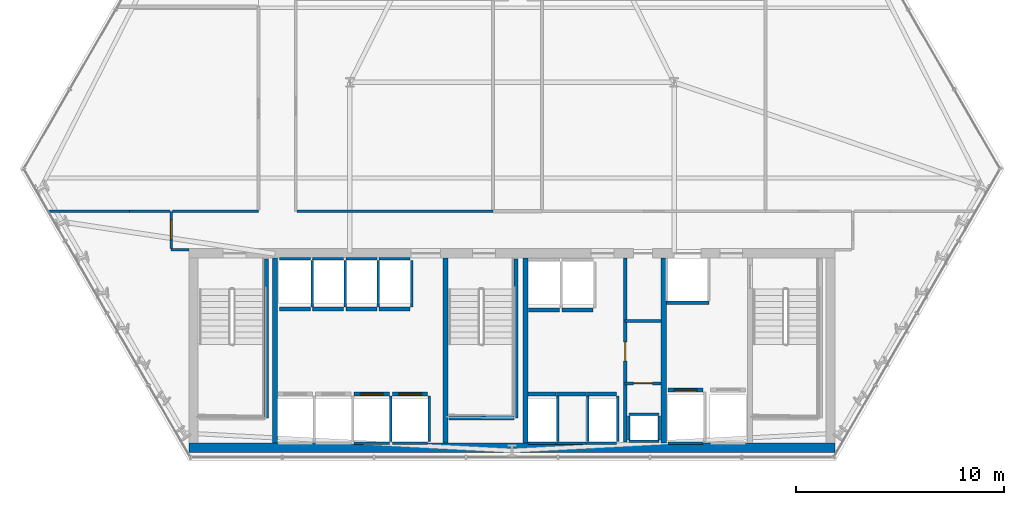
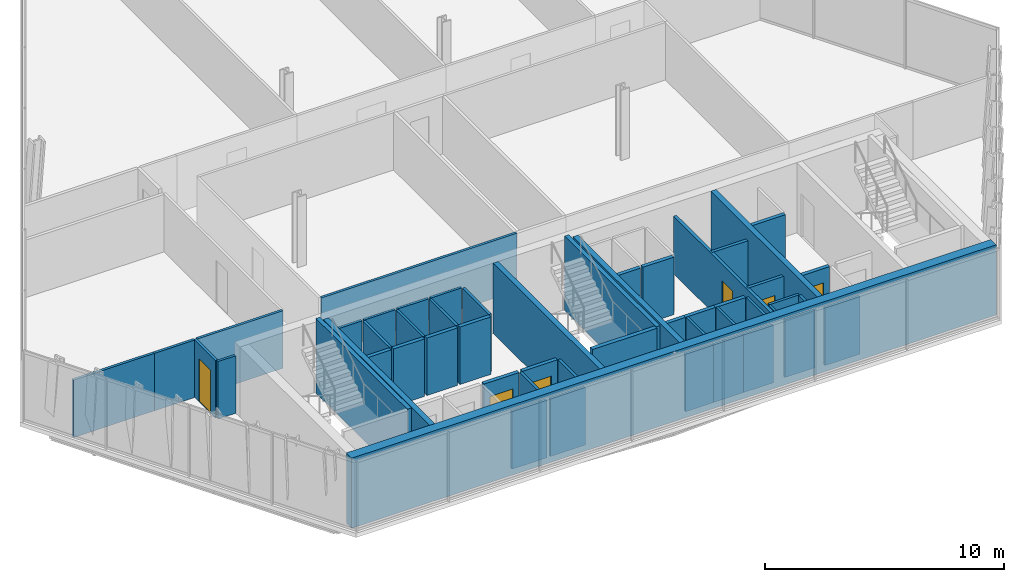
# One storey, part 27 of 32: 53 walls, 6 doors, 6 openings.
"""IFC4 building model written with IfcOpenShell, lengths in metres."""

from ifc_helpers import new_model, si_unit, direction, frame, frame_2d, origin, place, context, subcontext, project, spatial, rectangle, extrude, material, layer, layer_set, type_object, element, fill, save


model = new_model("IFC4")

# Units and contexts
model_context = context("Model", 3, precision=1e-05, world=origin(), true_north=direction((0.0, 1.0)))
body_context = subcontext(model_context, "Body", "Model", "MODEL_VIEW")
ifc_project = project(units=[si_unit("LENGTHUNIT", "METRE"), si_unit("AREAUNIT", "SQUARE_METRE"), si_unit("VOLUMEUNIT", "CUBIC_METRE"), si_unit("PLANEANGLEUNIT", "RADIAN"), si_unit("MASSUNIT", "GRAM", prefix="KILO")], contexts=[model_context])

# Site, building, storey
site_placement = place(None, origin())
site = spatial("IfcSite", under=ifc_project, at=site_placement, CompositionType="ELEMENT")
building_placement = place(site_placement, origin())
building = spatial("IfcBuilding", under=site, at=building_placement, Name="Ndaravel Arena Tower", CompositionType="ELEMENT")
storey_placement = place(building_placement, frame((0.0, 0.0, 55.0)))
storey = spatial("IfcBuildingStorey", under=building, at=storey_placement, Name="L11", CompositionType="ELEMENT", Elevation=55.0)

# Wall, opening, door
ifc_material_1 = material(Name="Gypsum", Category="gypsum")
ifc_layer_1 = layer(ifc_material_1, 0.14990234375)
ifc_layer_set_1 = layer_set([ifc_layer_1], Name="Gypsum")
wall_type_1 = type_object("IfcWallType", Name="WALL-COMP-150", PredefinedType="PARTITIONING", material=ifc_layer_set_1)
wall_1_placement = place(storey_placement, frame((47.449951171875, 5.89990234375, 0.0), z_axis=(0.0, 0.0, 1.0), x_axis=(0.0, 1.0, 0.0)))
wall_1 = element("IfcWall", 1, at=wall_1_placement, inside=storey, type_object=wall_type_1, Name="L11 Core Riser Bay Partition", PredefinedType="PARTITIONING", context=body_context, shape_type="SweptSolid", body=[
    extrude(rectangle(XDim=8.85009765625, YDim=0.14990234375, at=frame_2d((4.425048828125, 0.0))), origin(), (0.0, 0.0, 1.0), 2.932861328125),
])
opening_1_placement = place(wall_1_placement, frame((3.89990234375, 0.0, 0.0)))
opening_1 = element("IfcOpeningElement", 2, at=opening_1_placement, cuts=wall_1, Name="Opening RD-01", PredefinedType="OPENING", context=body_context, shape_type="SweptSolid", body=[
    extrude(rectangle(XDim=0.89990234375, YDim=2.10009765625, at=frame_2d((0.449951171875, 1.050048828125))), frame((0.0, 0.074951171875, 0.0), z_axis=(0.0, -1.0, 0.0), x_axis=(1.0, 0.0, 0.0)), (0.0, 0.0, 1.0), 0.14990234375),
])
ifc_material_2 = material(Name="Steel S355", Category="steel")
door_type_1 = type_object("IfcDoorType", Name="DT-08-RISER-900", OperationType="SINGLE_SWING_LEFT", PredefinedType="DOOR", material=ifc_material_2)
door_1_placement = place(opening_1_placement, origin())
door_1 = element("IfcDoor", 3, at=door_1_placement, inside=storey, type_object=door_type_1, Name="L11 Plumbing Riser Door", OperationType="SINGLE_SWING_LEFT", OverallHeight=2.10009765625, OverallWidth=0.89990234375, PredefinedType="DOOR", context=body_context, shape_type="SweptSolid", body=[
    extrude(rectangle(XDim=0.89990234375, YDim=2.10009765625, at=frame_2d((0.449951171875, 1.050048828125))), frame((0.0, 0.02490234375, 0.0), z_axis=(0.0, -1.0, 0.0), x_axis=(1.0, 0.0, 0.0)), (0.0, 0.0, 1.0), 0.050048828125),
])
fill(opening_1, door_1)

wall_2_placement = place(storey_placement, frame((47.449951171875, 8.719970703125, 0.0), z_axis=(0.0, 0.0, 1.0), x_axis=(1.0, 0.0, 0.0)))
wall_2 = element("IfcWall", 4, at=wall_2_placement, inside=storey, type_object=wall_type_1, Name="L11 Core Riser Divider 1", PredefinedType="PARTITIONING", context=body_context, shape_type="SweptSolid", body=[
    extrude(rectangle(XDim=1.72998046875, YDim=0.14990234375, at=frame_2d((0.864990234375, 0.0))), origin(), (0.0, 0.0, 1.0), 2.932861328125),
])
opening_2_placement = place(wall_2_placement, frame((0.39990234375, 0.0, 0.0)))
opening_2 = element("IfcOpeningElement", 5, at=opening_2_placement, cuts=wall_2, Name="Opening RD-01", PredefinedType="OPENING", context=body_context, shape_type="SweptSolid", body=[
    extrude(rectangle(XDim=0.89990234375, YDim=2.10009765625, at=frame_2d((0.449951171875, 1.050048828125))), frame((0.0, 0.074951171875, 0.0), z_axis=(0.0, -1.0, 0.0), x_axis=(1.0, 0.0, 0.0)), (0.0, 0.0, 1.0), 0.14990234375),
])
door_2_placement = place(opening_2_placement, origin())
door_2 = element("IfcDoor", 6, at=door_2_placement, inside=storey, type_object=door_type_1, Name="L11 Low-Voltage Riser Door", OperationType="SINGLE_SWING_RIGHT", OverallHeight=2.10009765625, OverallWidth=0.89990234375, PredefinedType="DOOR", context=body_context, shape_type="SweptSolid", body=[
    extrude(rectangle(XDim=0.89990234375, YDim=2.10009765625, at=frame_2d((0.449951171875, 1.050048828125))), frame((0.0, 0.02490234375, 0.0), z_axis=(0.0, -1.0, 0.0), x_axis=(1.0, 0.0, 0.0)), (0.0, 0.0, 1.0), 0.050048828125),
])
fill(opening_2, door_2)

# Walls
wall_3_placement = place(storey_placement, frame((47.449951171875, 11.719970703125, 0.0), z_axis=(0.0, 0.0, 1.0), x_axis=(1.0, 0.0, 0.0)))
element("IfcWall", 7, at=wall_3_placement, inside=storey, type_object=wall_type_1, Name="L11 Core Riser Divider 2", PredefinedType="PARTITIONING", context=body_context, shape_type="SweptSolid", body=[
    extrude(rectangle(XDim=1.72998046875, YDim=0.14990234375, at=frame_2d((0.864990234375, 0.0))), origin(), (0.0, 0.0, 1.0), 2.932861328125),
])
ifc_material_3 = material(Name="Concrete C60/75", Category="concrete")
ifc_layer_2 = layer(ifc_material_3, 0.25)
ifc_layer_set_2 = layer_set([ifc_layer_2], Name="Concrete C60/75")
wall_type_2 = type_object("IfcWallType", Name="WALL-CORE-250", PredefinedType="SOLIDWALL", material=ifc_layer_set_2)
for number, where, z_axis, x_axis, name in (
    (8, (30.60009765625, 5.85009765625, 0.0), (0.0, 0.0, 1.0), (0.0, 1.0, 0.0), "L11 Core Web Shear Wall 1"),
    (9, (38.800048828125, 5.85009765625, 0.0), (0.0, 0.0, 1.0), (0.0, 1.0, 0.0), "L11 Core Web Shear Wall 2"),
    (10, (42.64990234375, 5.85009765625, 0.0), (0.0, 0.0, 1.0), (0.0, 1.0, 0.0), "L11 Core Web Shear Wall 3"),
    (11, (49.300048828125, 5.85009765625, 0.0), (0.0, 0.0, 1.0), (0.0, 1.0, 0.0), "L11 Core Web Shear Wall 4"),
):
    element("IfcWall", number, at=place(storey_placement, frame(where, z_axis=z_axis, x_axis=x_axis)), inside=storey, type_object=wall_type_2, Name=name, PredefinedType="SOLIDWALL", context=body_context, shape_type="SweptSolid", body=[
        extrude(rectangle(XDim=8.89990234375, YDim=0.25, at=frame_2d((4.449951171875, 0.0))), origin(), (0.0, 0.0, 1.0), 3.580078125),
    ])
ifc_material_4 = material(Name="Concrete C60/75", Category="concrete")
ifc_layer_3 = layer(ifc_material_4, 0.449951171875)
ifc_layer_set_3 = layer_set([ifc_layer_3], Name="Concrete C60/75")
wall_type_3 = type_object("IfcWallType", Name="WALL-CORE-450", PredefinedType="SOLIDWALL", material=ifc_layer_set_3)
wall_4_placement = place(storey_placement, frame((26.449951171875, 5.625, 0.0), z_axis=(0.0, 0.0, 1.0), x_axis=(1.0, 0.0, 0.0)))
element("IfcWall", 12, at=wall_4_placement, inside=storey, type_object=wall_type_3, Name="L11 Core South Shear Wall", PredefinedType="SOLIDWALL", context=body_context, shape_type="SweptSolid", body=[
    extrude(rectangle(XDim=31.10009765625, YDim=0.449951171875, at=frame_2d((15.550048828125, 0.0))), origin(), (0.0, 0.0, 1.0), 3.580078125),
])
ifc_material_5 = material(Name="Gypsum", Category="gypsum")
ifc_layer_4 = layer(ifc_material_5, 0.125)
ifc_layer_set_4 = layer_set([ifc_layer_4], Name="Gypsum")
wall_type_4 = type_object("IfcWallType", Name="WALL-PART-125", PredefinedType="PARTITIONING", material=ifc_layer_set_4)
wall_5_placement = place(storey_placement, frame((26.449951171875, 15.14990234375, 0.0), z_axis=(0.0, 0.0, 1.0), x_axis=(-1.0, 0.0, 0.0)))
element("IfcWall", 13, at=wall_5_placement, inside=storey, type_object=wall_type_4, Name="L11 Interior Partition 003", PredefinedType="PARTITIONING", context=body_context, shape_type="SweptSolid", body=[
    extrude(rectangle(XDim=0.849853515625, YDim=0.125, at=frame_2d((0.4248046875, 0.0))), origin(), (0.0, 0.0, 1.0), 2.932861328125),
])

# Wall, opening, door
wall_6_placement = place(storey_placement, frame((25.60009765625, 15.215087890625, 0.0), z_axis=(0.0, 0.0, 1.0), x_axis=(0.0, 1.0, 0.0)))
wall_6 = element("IfcWall", 14, at=wall_6_placement, inside=storey, type_object=wall_type_4, Name="L11 Interior Partition 004", PredefinedType="PARTITIONING", context=body_context, shape_type="SweptSolid", body=[
    extrude(rectangle(XDim=1.784912109375, YDim=0.125, at=frame_2d((0.892578125, 0.0))), origin(), (0.0, 0.0, 1.0), 2.932861328125),
])
opening_3_placement = place(wall_6_placement, frame((0.41748046875, 0.0, 0.0)))
opening_3 = element("IfcOpeningElement", 15, at=opening_3_placement, cuts=wall_6, Name="Opening ID-01", PredefinedType="OPENING", context=body_context, shape_type="SweptSolid", body=[
    extrude(rectangle(XDim=0.949951171875, YDim=2.199951171875, at=frame_2d((0.47509765625, 1.10009765625))), frame((0.0, 0.0625, 0.0), z_axis=(0.0, -1.0, 0.0), x_axis=(1.0, 0.0, 0.0)), (0.0, 0.0, 1.0), 0.125),
])
ifc_material_6 = material(Name="Timber", Category="wood")
door_type_2 = type_object("IfcDoorType", Name="DT-03-OFFICE-950", OperationType="SINGLE_SWING_LEFT", PredefinedType="DOOR", material=ifc_material_6)
door_3_placement = place(opening_3_placement, origin())
door_3 = element("IfcDoor", 16, at=door_3_placement, inside=storey, type_object=door_type_2, Name="L11 Open Plan Workplace Door", OperationType="SINGLE_SWING_RIGHT", OverallHeight=2.199951171875, OverallWidth=0.949951171875, PredefinedType="DOOR", context=body_context, shape_type="SweptSolid", body=[
    extrude(rectangle(XDim=0.949951171875, YDim=2.199951171875, at=frame_2d((0.47509765625, 1.10009765625))), frame((0.0, 0.02490234375, 0.0), z_axis=(0.0, -1.0, 0.0), x_axis=(1.0, 0.0, 0.0)), (0.0, 0.0, 1.0), 0.050048828125),
])
fill(opening_3, door_3)

# Walls
wall_7_placement = place(storey_placement, frame((25.6650390625, 17.0, 0.0), z_axis=(0.0, 0.0, 1.0), x_axis=(1.0, 0.0, 0.0)))
element("IfcWall", 17, at=wall_7_placement, inside=storey, type_object=wall_type_4, Name="L11 Interior Partition 005", PredefinedType="PARTITIONING", context=body_context, shape_type="SweptSolid", body=[
    extrude(rectangle(XDim=4.135009765625, YDim=0.125, at=frame_2d((2.0673828125, 0.0))), origin(), (0.0, 0.0, 1.0), 2.932861328125),
])
wall_8_placement = place(storey_placement, frame((31.6650390625, 17.0, 0.0), z_axis=(0.0, 0.0, 1.0), x_axis=(1.0, 0.0, 0.0)))
element("IfcWall", 18, at=wall_8_placement, inside=storey, type_object=wall_type_4, Name="L11 Interior Partition 018", PredefinedType="PARTITIONING", context=body_context, shape_type="SweptSolid", body=[
    extrude(rectangle(XDim=9.427001953125, YDim=0.125, at=frame_2d((4.71337890625, 0.0))), origin(), (0.0, 0.0, 1.0), 2.932861328125),
])
wall_9_placement = place(storey_placement, frame((19.684326171875, 17.0, 0.0), z_axis=(0.0, 0.0, 1.0), x_axis=(1.0, 0.0, 0.0)))
element("IfcWall", 19, at=wall_9_placement, inside=storey, type_object=wall_type_4, Name="L11 Interior Partition 022", PredefinedType="PARTITIONING", context=body_context, shape_type="SweptSolid", body=[
    extrude(rectangle(XDim=3.915771484375, YDim=0.125, at=frame_2d((1.9580078125, 0.0))), origin(), (0.0, 0.0, 1.0), 2.932861328125),
])
wall_10_placement = place(storey_placement, frame((23.60009765625, 17.0, 0.0), z_axis=(0.0, 0.0, 1.0), x_axis=(1.0, 0.0, 0.0)))
element("IfcWall", 20, at=wall_10_placement, inside=storey, type_object=wall_type_4, Name="L11 Interior Partition 023", PredefinedType="PARTITIONING", context=body_context, shape_type="SweptSolid", body=[
    extrude(rectangle(XDim=1.934814453125, YDim=0.125, at=frame_2d((0.96728515625, 0.0))), origin(), (0.0, 0.0, 1.0), 2.932861328125),
])
ifc_material_7 = material(Name="Concrete C40/50", Category="concrete")
ifc_layer_5 = layer(ifc_material_7, 0.1201171875)
ifc_layer_set_5 = layer_set([ifc_layer_5], Name="Concrete C40/50")
wall_type_5 = type_object("IfcWallType", Name="WALL-SHAFT-120", PredefinedType="SOLIDWALL", material=ifc_layer_set_5)
for number, where, z_axis, x_axis, name in (
    (21, (47.6201171875, 5.919921875, 0.0), (0.0, 0.0, 1.0), (1.0, 0.0, 0.0), "L11 MEP Riser Shaft S Wall"),
    (22, (47.6201171875, 7.219970703125, 0.0), (0.0, 0.0, 1.0), (1.0, 0.0, 0.0), "L11 MEP Riser Shaft N Wall"),
):
    element("IfcWall", number, at=place(storey_placement, frame(where, z_axis=z_axis, x_axis=x_axis)), inside=storey, type_object=wall_type_5, Name=name, PredefinedType="SOLIDWALL", context=body_context, shape_type="SweptSolid", body=[
        extrude(rectangle(XDim=1.4599609375, YDim=0.1201171875, at=frame_2d((0.72998046875, 0.0))), origin(), (0.0, 0.0, 1.0), 2.932861328125),
    ])
for number, where, z_axis, x_axis, name in (
    (23, (47.6201171875, 6.0, 0.0), (0.0, 0.0, 1.0), (0.0, 1.0, 0.0), "L11 MEP Riser Shaft W Wall"),
    (24, (49.080078125, 6.0, 0.0), (0.0, 0.0, 1.0), (0.0, 1.0, 0.0), "L11 MEP Riser Shaft E Wall"),
):
    element("IfcWall", number, at=place(storey_placement, frame(where, z_axis=z_axis, x_axis=x_axis)), inside=storey, type_object=wall_type_5, Name=name, PredefinedType="SOLIDWALL", context=body_context, shape_type="SweptSolid", body=[
        extrude(rectangle(XDim=1.139892578125, YDim=0.1201171875, at=frame_2d((0.56982421875, 0.0))), origin(), (0.0, 0.0, 1.0), 2.932861328125),
    ])
wall_11_placement = place(storey_placement, frame((34.405029296875, 5.840087890625, 0.0), z_axis=(0.0, 0.0, 1.0), x_axis=(1.0, 0.0, 0.0)))
element("IfcWall", 25, at=wall_11_placement, inside=storey, type_object=wall_type_5, Name="L11 PL-L3 Shaft Rear Wall", PredefinedType="SOLIDWALL", context=body_context, shape_type="SweptSolid", body=[
    extrude(rectangle(XDim=1.68994140625, YDim=0.1201171875, at=frame_2d((0.844970703125, 0.0))), origin(), (0.0, 0.0, 1.0), 2.932861328125),
])
wall_12_placement = place(storey_placement, frame((36.175048828125, 5.929931640625, 0.0), z_axis=(0.0, 0.0, 1.0), x_axis=(0.0, 1.0, 0.0)))
element("IfcWall", 26, at=wall_12_placement, inside=storey, type_object=wall_type_5, Name="L11 PL-L3 Shaft Side R Wall", PredefinedType="SOLIDWALL", context=body_context, shape_type="SweptSolid", body=[
    extrude(rectangle(XDim=2.18017578125, YDim=0.1201171875, at=frame_2d((1.090087890625, 0.0))), origin(), (0.0, 0.0, 1.0), 2.932861328125),
])
wall_13_placement = place(storey_placement, frame((36.2548828125, 5.840087890625, 0.0), z_axis=(0.0, 0.0, 1.0), x_axis=(1.0, 0.0, 0.0)))
element("IfcWall", 27, at=wall_13_placement, inside=storey, type_object=wall_type_5, Name="L11 PL-L4 Shaft Rear Wall", PredefinedType="SOLIDWALL", context=body_context, shape_type="SweptSolid", body=[
    extrude(rectangle(XDim=1.690185546875, YDim=0.1201171875, at=frame_2d((0.84521484375, 0.0))), origin(), (0.0, 0.0, 1.0), 2.932861328125),
])
wall_14_placement = place(storey_placement, frame((38.02490234375, 5.929931640625, 0.0), z_axis=(0.0, 0.0, 1.0), x_axis=(0.0, 1.0, 0.0)))
element("IfcWall", 28, at=wall_14_placement, inside=storey, type_object=wall_type_5, Name="L11 PL-L4 Shaft Side R Wall", PredefinedType="SOLIDWALL", context=body_context, shape_type="SweptSolid", body=[
    extrude(rectangle(XDim=2.18017578125, YDim=0.1201171875, at=frame_2d((1.090087890625, 0.0))), origin(), (0.0, 0.0, 1.0), 2.932861328125),
])
wall_15_placement = place(storey_placement, frame((30.804931640625, 14.7099609375, 0.0), z_axis=(0.0, 0.0, 1.0), x_axis=(1.0, 0.0, 0.0)))
element("IfcWall", 29, at=wall_15_placement, inside=storey, type_object=wall_type_5, Name="L11 PL-M1 Shaft Rear Wall", PredefinedType="SOLIDWALL", context=body_context, shape_type="SweptSolid", body=[
    extrude(rectangle(XDim=1.489990234375, YDim=0.1201171875, at=frame_2d((0.7451171875, 0.0))), origin(), (0.0, 0.0, 1.0), 2.932861328125),
])
wall_16_placement = place(storey_placement, frame((32.375, 12.389892578125, 0.0), z_axis=(0.0, 0.0, 1.0), x_axis=(0.0, 1.0, 0.0)))
element("IfcWall", 30, at=wall_16_placement, inside=storey, type_object=wall_type_5, Name="L11 PL-M1 Shaft Side R Wall", PredefinedType="SOLIDWALL", context=body_context, shape_type="SweptSolid", body=[
    extrude(rectangle(XDim=2.230224609375, YDim=0.1201171875, at=frame_2d((1.115234375, 0.0))), origin(), (0.0, 0.0, 1.0), 2.932861328125),
])
wall_17_placement = place(storey_placement, frame((32.405029296875, 14.7099609375, 0.0), z_axis=(0.0, 0.0, 1.0), x_axis=(1.0, 0.0, 0.0)))
element("IfcWall", 31, at=wall_17_placement, inside=storey, type_object=wall_type_5, Name="L11 PL-M2 Shaft Rear Wall", PredefinedType="SOLIDWALL", context=body_context, shape_type="SweptSolid", body=[
    extrude(rectangle(XDim=1.489990234375, YDim=0.1201171875, at=frame_2d((0.7451171875, 0.0))), origin(), (0.0, 0.0, 1.0), 2.932861328125),
])
wall_18_placement = place(storey_placement, frame((33.97509765625, 12.389892578125, 0.0), z_axis=(0.0, 0.0, 1.0), x_axis=(0.0, 1.0, 0.0)))
element("IfcWall", 32, at=wall_18_placement, inside=storey, type_object=wall_type_5, Name="L11 PL-M2 Shaft Side R Wall", PredefinedType="SOLIDWALL", context=body_context, shape_type="SweptSolid", body=[
    extrude(rectangle(XDim=2.230224609375, YDim=0.1201171875, at=frame_2d((1.115234375, 0.0))), origin(), (0.0, 0.0, 1.0), 2.932861328125),
])
wall_19_placement = place(storey_placement, frame((34.0048828125, 14.7099609375, 0.0), z_axis=(0.0, 0.0, 1.0), x_axis=(1.0, 0.0, 0.0)))
element("IfcWall", 33, at=wall_19_placement, inside=storey, type_object=wall_type_5, Name="L11 PL-M3 Shaft Rear Wall", PredefinedType="SOLIDWALL", context=body_context, shape_type="SweptSolid", body=[
    extrude(rectangle(XDim=1.490234375, YDim=0.1201171875, at=frame_2d((0.7451171875, 0.0))), origin(), (0.0, 0.0, 1.0), 2.932861328125),
])
wall_20_placement = place(storey_placement, frame((35.574951171875, 12.389892578125, 0.0), z_axis=(0.0, 0.0, 1.0), x_axis=(0.0, 1.0, 0.0)))
element("IfcWall", 34, at=wall_20_placement, inside=storey, type_object=wall_type_5, Name="L11 PL-M3 Shaft Side R Wall", PredefinedType="SOLIDWALL", context=body_context, shape_type="SweptSolid", body=[
    extrude(rectangle(XDim=2.230224609375, YDim=0.1201171875, at=frame_2d((1.115234375, 0.0))), origin(), (0.0, 0.0, 1.0), 2.932861328125),
])
wall_21_placement = place(storey_placement, frame((35.60498046875, 14.7099609375, 0.0), z_axis=(0.0, 0.0, 1.0), x_axis=(1.0, 0.0, 0.0)))
element("IfcWall", 35, at=wall_21_placement, inside=storey, type_object=wall_type_5, Name="L11 PL-M4 Shaft Rear Wall", PredefinedType="SOLIDWALL", context=body_context, shape_type="SweptSolid", body=[
    extrude(rectangle(XDim=1.489990234375, YDim=0.1201171875, at=frame_2d((0.7451171875, 0.0))), origin(), (0.0, 0.0, 1.0), 2.932861328125),
])
wall_22_placement = place(storey_placement, frame((37.175048828125, 12.389892578125, 0.0), z_axis=(0.0, 0.0, 1.0), x_axis=(0.0, 1.0, 0.0)))
element("IfcWall", 36, at=wall_22_placement, inside=storey, type_object=wall_type_5, Name="L11 PL-M4 Shaft Side R Wall", PredefinedType="SOLIDWALL", context=body_context, shape_type="SweptSolid", body=[
    extrude(rectangle(XDim=2.230224609375, YDim=0.1201171875, at=frame_2d((1.115234375, 0.0))), origin(), (0.0, 0.0, 1.0), 2.932861328125),
])
wall_23_placement = place(storey_placement, frame((42.780029296875, 5.840087890625, 0.0), z_axis=(0.0, 0.0, 1.0), x_axis=(1.0, 0.0, 0.0)))
element("IfcWall", 37, at=wall_23_placement, inside=storey, type_object=wall_type_5, Name="L11 PL-H1 Shaft Rear Wall", PredefinedType="SOLIDWALL", context=body_context, shape_type="SweptSolid", body=[
    extrude(rectangle(XDim=1.340087890625, YDim=0.1201171875, at=frame_2d((0.669921875, 0.0))), origin(), (0.0, 0.0, 1.0), 2.932861328125),
])
wall_24_placement = place(storey_placement, frame((44.199951171875, 5.929931640625, 0.0), z_axis=(0.0, 0.0, 1.0), x_axis=(0.0, 1.0, 0.0)))
element("IfcWall", 38, at=wall_24_placement, inside=storey, type_object=wall_type_5, Name="L11 PL-H1 Shaft Side R Wall", PredefinedType="SOLIDWALL", context=body_context, shape_type="SweptSolid", body=[
    extrude(rectangle(XDim=2.18017578125, YDim=0.1201171875, at=frame_2d((1.090087890625, 0.0))), origin(), (0.0, 0.0, 1.0), 2.932861328125),
])
wall_25_placement = place(storey_placement, frame((44.1298828125, 5.840087890625, 0.0), z_axis=(0.0, 0.0, 1.0), x_axis=(1.0, 0.0, 0.0)))
element("IfcWall", 39, at=wall_25_placement, inside=storey, type_object=wall_type_5, Name="L11 PL-H2 Shaft Rear Wall", PredefinedType="SOLIDWALL", context=body_context, shape_type="SweptSolid", body=[
    extrude(rectangle(XDim=1.440185546875, YDim=0.1201171875, at=frame_2d((0.72021484375, 0.0))), origin(), (0.0, 0.0, 1.0), 2.932861328125),
])
wall_26_placement = place(storey_placement, frame((45.64990234375, 5.929931640625, 0.0), z_axis=(0.0, 0.0, 1.0), x_axis=(0.0, 1.0, 0.0)))
element("IfcWall", 40, at=wall_26_placement, inside=storey, type_object=wall_type_5, Name="L11 PL-H2 Shaft Side R Wall", PredefinedType="SOLIDWALL", context=body_context, shape_type="SweptSolid", body=[
    extrude(rectangle(XDim=2.18017578125, YDim=0.1201171875, at=frame_2d((1.090087890625, 0.0))), origin(), (0.0, 0.0, 1.0), 2.932861328125),
])
wall_27_placement = place(storey_placement, frame((45.580078125, 5.840087890625, 0.0), z_axis=(0.0, 0.0, 1.0), x_axis=(1.0, 0.0, 0.0)))
element("IfcWall", 41, at=wall_27_placement, inside=storey, type_object=wall_type_5, Name="L11 PL-H3 Shaft Rear Wall", PredefinedType="SOLIDWALL", context=body_context, shape_type="SweptSolid", body=[
    extrude(rectangle(XDim=1.43994140625, YDim=0.1201171875, at=frame_2d((0.719970703125, 0.0))), origin(), (0.0, 0.0, 1.0), 2.932861328125),
])
wall_28_placement = place(storey_placement, frame((47.10009765625, 5.929931640625, 0.0), z_axis=(0.0, 0.0, 1.0), x_axis=(0.0, 1.0, 0.0)))
element("IfcWall", 42, at=wall_28_placement, inside=storey, type_object=wall_type_5, Name="L11 PL-H3 Shaft Side R Wall", PredefinedType="SOLIDWALL", context=body_context, shape_type="SweptSolid", body=[
    extrude(rectangle(XDim=2.18017578125, YDim=0.1201171875, at=frame_2d((1.090087890625, 0.0))), origin(), (0.0, 0.0, 1.0), 2.932861328125),
])
wall_29_placement = place(storey_placement, frame((49.5048828125, 5.840087890625, 0.0), z_axis=(0.0, 0.0, 1.0), x_axis=(1.0, 0.0, 0.0)))
element("IfcWall", 43, at=wall_29_placement, inside=storey, type_object=wall_type_5, Name="L11 FFL-1 Shaft Rear Wall", PredefinedType="SOLIDWALL", context=body_context, shape_type="SweptSolid", body=[
    extrude(rectangle(XDim=1.690185546875, YDim=0.1201171875, at=frame_2d((0.84521484375, 0.0))), origin(), (0.0, 0.0, 1.0), 2.932861328125),
])
ifc_material_8 = material(Name="Concrete C40/50", Category="concrete")
ifc_layer_6 = layer(ifc_material_8, 0.199951171875)
ifc_layer_set_6 = layer_set([ifc_layer_6], Name="Concrete C40/50")
wall_type_6 = type_object("IfcWallType", Name="WALL-SHAFT-200", PredefinedType="SOLIDWALL", material=ifc_layer_set_6)
for number, where, z_axis, x_axis, name in (
    (44, (30.18994140625, 14.699951171875, 0.0), (0.0, 0.0, 1.0), (0.0, -1.0, 0.0), "L11 ST-1 Structural Shaft Wall Right"),
    (45, (42.18994140625, 14.699951171875, 0.0), (0.0, 0.0, 1.0), (0.0, -1.0, 0.0), "L11 ST-2 Structural Shaft Wall Right"),
):
    element("IfcWall", number, at=place(storey_placement, frame(where, z_axis=z_axis, x_axis=x_axis)), inside=storey, type_object=wall_type_6, Name=name, PredefinedType="SOLIDWALL", context=body_context, shape_type="SweptSolid", body=[
        extrude(rectangle(XDim=7.64990234375, YDim=0.199951171875, at=frame_2d((3.824951171875, 0.0))), origin(), (0.0, 0.0, 1.0), 3.800048828125),
    ])
wall_30_placement = place(storey_placement, frame((38.969970703125, 7.050048828125, 0.0), z_axis=(0.0, 0.0, 1.0), x_axis=(1.0, 0.0, 0.0)))
element("IfcWall", 46, at=wall_30_placement, inside=storey, type_object=wall_type_6, Name="L11 ST-2 Structural Shaft Wall Far", PredefinedType="SOLIDWALL", context=body_context, shape_type="SweptSolid", body=[
    extrude(rectangle(XDim=3.114990234375, YDim=0.199951171875, at=frame_2d((1.5576171875, 0.0))), origin(), (0.0, 0.0, 1.0), 3.800048828125),
])

# Wall, opening, door
wall_31_placement = place(storey_placement, frame((34.405029296875, 8.199951171875, 0.0), z_axis=(0.0, 0.0, 1.0), x_axis=(1.0, 0.0, 0.0)))
wall_31 = element("IfcWall", 47, at=wall_31_placement, inside=storey, type_object=wall_type_6, Name="L11 PL-L3 Shaft Landing Wall", PredefinedType="SOLIDWALL", context=body_context, shape_type="SweptSolid", body=[
    extrude(rectangle(XDim=1.68994140625, YDim=0.179931640625, at=frame_2d((0.844970703125, 0.0))), origin(), (0.0, 0.0, 1.0), 2.932861328125),
])
opening_4_placement = place(wall_31_placement, frame((0.294921875, 0.0, 0.0)))
opening_4 = element("IfcOpeningElement", 48, at=opening_4_placement, cuts=wall_31, Name="Opening LD-01", PredefinedType="OPENING", context=body_context, shape_type="SweptSolid", body=[
    extrude(rectangle(XDim=1.10009765625, YDim=2.199951171875, at=frame_2d((0.550048828125, 1.10009765625))), frame((0.0, 0.08984375, 0.0), z_axis=(0.0, -1.0, 0.0), x_axis=(1.0, 0.0, 0.0)), (0.0, 0.0, 1.0), 0.179931640625),
])
ifc_material_9 = material(Name="Steel S355", Category="steel")
door_type_3 = type_object("IfcDoorType", Name="DT-06-LIFT-1100", OperationType="SLIDING_TO_LEFT", PredefinedType="DOOR", material=ifc_material_9)
door_4_placement = place(opening_4_placement, origin())
door_4 = element("IfcDoor", 49, at=door_4_placement, inside=storey, type_object=door_type_3, Name="L11 Lift PL-L3 Sliding Landing Door", OperationType="SLIDING_TO_LEFT", OverallHeight=2.199951171875, OverallWidth=1.10009765625, PredefinedType="DOOR", context=body_context, shape_type="SweptSolid", body=[
    extrude(rectangle(XDim=1.10009765625, YDim=2.199951171875, at=frame_2d((0.550048828125, 1.10009765625))), frame((0.0, 0.02490234375, 0.0), z_axis=(0.0, -1.0, 0.0), x_axis=(1.0, 0.0, 0.0)), (0.0, 0.0, 1.0), 0.050048828125),
])
fill(opening_4, door_4)

wall_32_placement = place(storey_placement, frame((36.2548828125, 8.199951171875, 0.0), z_axis=(0.0, 0.0, 1.0), x_axis=(1.0, 0.0, 0.0)))
wall_32 = element("IfcWall", 50, at=wall_32_placement, inside=storey, type_object=wall_type_6, Name="L11 PL-L4 Shaft Landing Wall", PredefinedType="SOLIDWALL", context=body_context, shape_type="SweptSolid", body=[
    extrude(rectangle(XDim=1.690185546875, YDim=0.179931640625, at=frame_2d((0.84521484375, 0.0))), origin(), (0.0, 0.0, 1.0), 2.932861328125),
])
opening_5_placement = place(wall_32_placement, frame((0.294921875, 0.0, 0.0)))
opening_5 = element("IfcOpeningElement", 51, at=opening_5_placement, cuts=wall_32, Name="Opening LD-01", PredefinedType="OPENING", context=body_context, shape_type="SweptSolid", body=[
    extrude(rectangle(XDim=1.10009765625, YDim=2.199951171875, at=frame_2d((0.550048828125, 1.10009765625))), frame((0.0, 0.08984375, 0.0), z_axis=(0.0, -1.0, 0.0), x_axis=(1.0, 0.0, 0.0)), (0.0, 0.0, 1.0), 0.179931640625),
])
door_5_placement = place(opening_5_placement, origin())
door_5 = element("IfcDoor", 52, at=door_5_placement, inside=storey, type_object=door_type_3, Name="L11 Lift PL-L4 Sliding Landing Door", OperationType="SLIDING_TO_LEFT", OverallHeight=2.199951171875, OverallWidth=1.10009765625, PredefinedType="DOOR", context=body_context, shape_type="SweptSolid", body=[
    extrude(rectangle(XDim=1.10009765625, YDim=2.199951171875, at=frame_2d((0.550048828125, 1.10009765625))), frame((0.0, 0.02490234375, 0.0), z_axis=(0.0, -1.0, 0.0), x_axis=(1.0, 0.0, 0.0)), (0.0, 0.0, 1.0), 0.050048828125),
])
fill(opening_5, door_5)

# Walls
for number, where, z_axis, x_axis, name in (
    (53, (30.804931640625, 12.300048828125, 0.0), (0.0, 0.0, 1.0), (1.0, 0.0, 0.0), "L11 PL-M1 Shaft Landing Wall"),
    (54, (32.405029296875, 12.300048828125, 0.0), (0.0, 0.0, 1.0), (1.0, 0.0, 0.0), "L11 PL-M2 Shaft Landing Wall"),
):
    element("IfcWall", number, at=place(storey_placement, frame(where, z_axis=z_axis, x_axis=x_axis)), inside=storey, type_object=wall_type_6, Name=name, PredefinedType="SOLIDWALL", context=body_context, shape_type="SweptSolid", body=[
        extrude(rectangle(XDim=1.489990234375, YDim=0.179931640625, at=frame_2d((0.7451171875, 0.0))), origin(), (0.0, 0.0, 1.0), 2.932861328125),
    ])
wall_33_placement = place(storey_placement, frame((34.0048828125, 12.300048828125, 0.0), z_axis=(0.0, 0.0, 1.0), x_axis=(1.0, 0.0, 0.0)))
element("IfcWall", 55, at=wall_33_placement, inside=storey, type_object=wall_type_6, Name="L11 PL-M3 Shaft Landing Wall", PredefinedType="SOLIDWALL", context=body_context, shape_type="SweptSolid", body=[
    extrude(rectangle(XDim=1.490234375, YDim=0.179931640625, at=frame_2d((0.7451171875, 0.0))), origin(), (0.0, 0.0, 1.0), 2.932861328125),
])
wall_34_placement = place(storey_placement, frame((35.60498046875, 12.300048828125, 0.0), z_axis=(0.0, 0.0, 1.0), x_axis=(1.0, 0.0, 0.0)))
element("IfcWall", 56, at=wall_34_placement, inside=storey, type_object=wall_type_6, Name="L11 PL-M4 Shaft Landing Wall", PredefinedType="SOLIDWALL", context=body_context, shape_type="SweptSolid", body=[
    extrude(rectangle(XDim=1.489990234375, YDim=0.179931640625, at=frame_2d((0.7451171875, 0.0))), origin(), (0.0, 0.0, 1.0), 2.932861328125),
])
wall_35_placement = place(storey_placement, frame((42.780029296875, 8.199951171875, 0.0), z_axis=(0.0, 0.0, 1.0), x_axis=(1.0, 0.0, 0.0)))
element("IfcWall", 57, at=wall_35_placement, inside=storey, type_object=wall_type_6, Name="L11 PL-H1 Shaft Landing Wall", PredefinedType="SOLIDWALL", context=body_context, shape_type="SweptSolid", body=[
    extrude(rectangle(XDim=1.340087890625, YDim=0.179931640625, at=frame_2d((0.669921875, 0.0))), origin(), (0.0, 0.0, 1.0), 2.932861328125),
])
wall_36_placement = place(storey_placement, frame((44.1298828125, 8.199951171875, 0.0), z_axis=(0.0, 0.0, 1.0), x_axis=(1.0, 0.0, 0.0)))
element("IfcWall", 58, at=wall_36_placement, inside=storey, type_object=wall_type_6, Name="L11 PL-H2 Shaft Landing Wall", PredefinedType="SOLIDWALL", context=body_context, shape_type="SweptSolid", body=[
    extrude(rectangle(XDim=1.440185546875, YDim=0.179931640625, at=frame_2d((0.72021484375, 0.0))), origin(), (0.0, 0.0, 1.0), 2.932861328125),
])
wall_37_placement = place(storey_placement, frame((45.580078125, 8.199951171875, 0.0), z_axis=(0.0, 0.0, 1.0), x_axis=(1.0, 0.0, 0.0)))
element("IfcWall", 59, at=wall_37_placement, inside=storey, type_object=wall_type_6, Name="L11 PL-H3 Shaft Landing Wall", PredefinedType="SOLIDWALL", context=body_context, shape_type="SweptSolid", body=[
    extrude(rectangle(XDim=1.43994140625, YDim=0.179931640625, at=frame_2d((0.719970703125, 0.0))), origin(), (0.0, 0.0, 1.0), 2.932861328125),
])
for number, where, z_axis, x_axis, name in (
    (60, (42.804931640625, 12.25, 0.0), (0.0, 0.0, 1.0), (1.0, 0.0, 0.0), "L11 PL-OBS1 Shaft Landing Wall"),
    (61, (44.405029296875, 12.25, 0.0), (0.0, 0.0, 1.0), (1.0, 0.0, 0.0), "L11 PL-OBS2 Shaft Landing Wall"),
):
    element("IfcWall", number, at=place(storey_placement, frame(where, z_axis=z_axis, x_axis=x_axis)), inside=storey, type_object=wall_type_6, Name=name, PredefinedType="SOLIDWALL", context=body_context, shape_type="SweptSolid", body=[
        extrude(rectangle(XDim=1.489990234375, YDim=0.179931640625, at=frame_2d((0.7451171875, 0.0))), origin(), (0.0, 0.0, 1.0), 2.932861328125),
    ])

# Wall, opening, door
wall_38_placement = place(storey_placement, frame((49.5048828125, 8.39990234375, 0.0), z_axis=(0.0, 0.0, 1.0), x_axis=(1.0, 0.0, 0.0)))
wall_38 = element("IfcWall", 62, at=wall_38_placement, inside=storey, type_object=wall_type_6, Name="L11 FFL-1 Shaft Landing Wall", PredefinedType="SOLIDWALL", context=body_context, shape_type="SweptSolid", body=[
    extrude(rectangle(XDim=1.690185546875, YDim=0.179931640625, at=frame_2d((0.84521484375, 0.0))), origin(), (0.0, 0.0, 1.0), 2.932861328125),
])
opening_6_placement = place(wall_38_placement, frame((0.294921875, 0.0, 0.0)))
opening_6 = element("IfcOpeningElement", 63, at=opening_6_placement, cuts=wall_38, Name="Opening LD-01", PredefinedType="OPENING", context=body_context, shape_type="SweptSolid", body=[
    extrude(rectangle(XDim=1.10009765625, YDim=2.199951171875, at=frame_2d((0.550048828125, 1.10009765625))), frame((0.0, 0.08984375, 0.0), z_axis=(0.0, -1.0, 0.0), x_axis=(1.0, 0.0, 0.0)), (0.0, 0.0, 1.0), 0.179931640625),
])
door_6_placement = place(opening_6_placement, origin())
door_6 = element("IfcDoor", 64, at=door_6_placement, inside=storey, type_object=door_type_3, Name="L11 Lift FFL-1 Sliding Landing Door", OperationType="SLIDING_TO_LEFT", OverallHeight=2.199951171875, OverallWidth=1.10009765625, PredefinedType="DOOR", context=body_context, shape_type="SweptSolid", body=[
    extrude(rectangle(XDim=1.10009765625, YDim=2.199951171875, at=frame_2d((0.550048828125, 1.10009765625))), frame((0.0, 0.02490234375, 0.0), z_axis=(0.0, -1.0, 0.0), x_axis=(1.0, 0.0, 0.0)), (0.0, 0.0, 1.0), 0.050048828125),
])
fill(opening_6, door_6)

# Wall
wall_39_placement = place(storey_placement, frame((49.43994140625, 12.594970703125, 0.0), z_axis=(0.0, 0.0, 1.0), x_axis=(1.0, 0.0, 0.0)))
element("IfcWall", 65, at=wall_39_placement, inside=storey, type_object=wall_type_6, Name="L11 SVL-1 Shaft South Wall", PredefinedType="SOLIDWALL", context=body_context, shape_type="SweptSolid", body=[
    extrude(rectangle(XDim=2.0400390625, YDim=0.179931640625, at=frame_2d((1.02001953125, 0.0))), origin(), (0.0, 0.0, 1.0), 2.932861328125),
])

save(model, "model.ifc")
